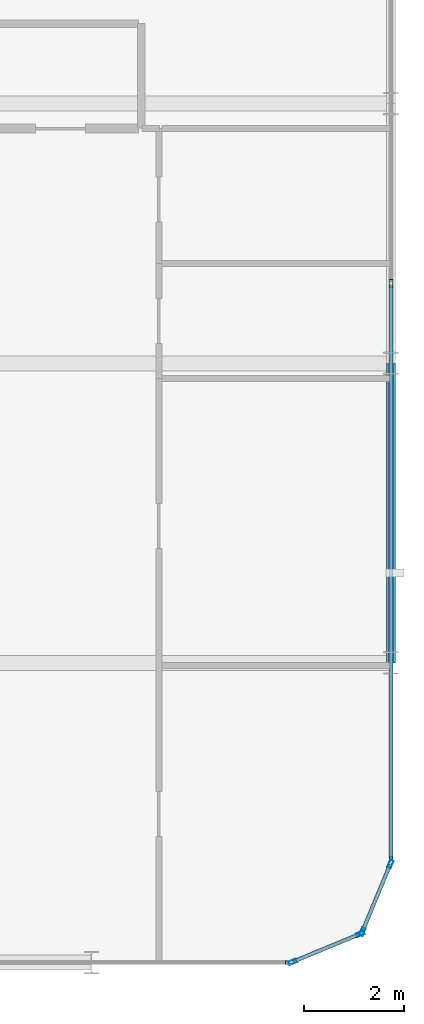
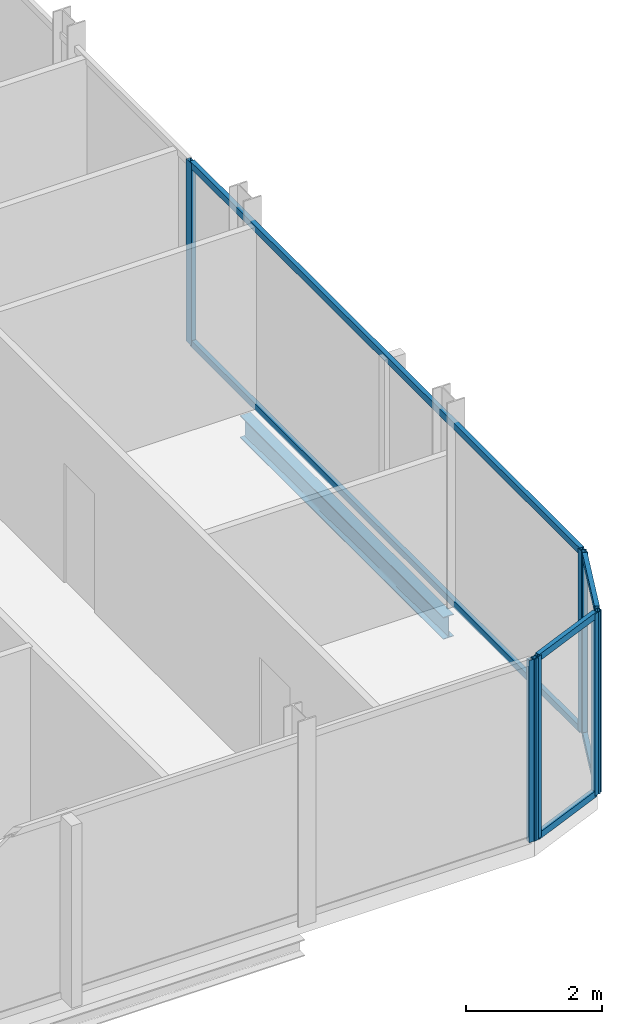
# One storey, part 12 of 28: 13 members, 1 beam, 4 elements without a shape of their own.
"""IFC4 building model written with IfcOpenShell, lengths in metres."""

from ifc_helpers import new_model, si_unit, direction, frame, origin, origin_2d, place, context, subcontext, project, spatial, hollow_rectangle, i_section, extrude, material, layer, layer_set, material_profile, profile_set, type_object, element, aggregate, save


model = new_model("IFC4")

# Units and contexts
model_context = context("Model", 3, precision=1e-05, world=origin(), true_north=direction((0.0, 1.0)))
body_context = subcontext(model_context, "Body", "Model", "MODEL_VIEW")
ifc_project = project(units=[si_unit("LENGTHUNIT", "METRE"), si_unit("AREAUNIT", "SQUARE_METRE"), si_unit("VOLUMEUNIT", "CUBIC_METRE"), si_unit("PLANEANGLEUNIT", "RADIAN"), si_unit("MASSUNIT", "GRAM", prefix="KILO")], contexts=[model_context])

# Site, building, storey
site_placement = place(None, origin())
site = spatial("IfcSite", under=ifc_project, at=site_placement, CompositionType="ELEMENT")
building_placement = place(site_placement, origin())
building = spatial("IfcBuilding", under=site, at=building_placement, Name="Keshet Zoharim Tower", CompositionType="ELEMENT")
storey_placement = place(building_placement, frame((0.0, 0.0, 233.89990234375)))
storey = spatial("IfcBuildingStorey", under=building, at=storey_placement, Name="L58", CompositionType="ELEMENT", Elevation=233.89990234375)

# Beam
ifc_material_1 = material(Name="Steel S355", Category="steel")
ifc_material_profile_1 = material_profile(ifc_material_1, i_section(OverallWidth=0.179931640625, OverallDepth=0.39990234375, WebThickness=0.008544921875, FlangeThickness=0.013427734375, FilletRadius=0.02099609375, at=origin_2d()), Name="IPE400")
ifc_profile_set_1 = profile_set([ifc_material_profile_1], Name="Steel S355")
beam_type = type_object("IfcBeamType", Name="BM-PRI-IP400", PredefinedType="BEAM", material=ifc_profile_set_1)
beam_placement = place(storey_placement, frame((57.0, 6.699951171875, -0.510009765625), z_axis=(0.0, 1.0, 0.0), x_axis=(-1.0, 0.0, 0.0)))
element("IfcBeam", 1, at=beam_placement, inside=storey, type_object=beam_type, Name="L58 Primary Girder Y-013", PredefinedType="BEAM", context=body_context, shape_type="SweptSolid", body=[
    extrude(i_section(OverallWidth=0.179931640625, OverallDepth=0.39990234375, WebThickness=0.008544921875, FlangeThickness=0.013427734375, FilletRadius=0.02099609375, at=origin_2d()), origin(), (0.0, 0.0, 1.0), 6.0),
])

# Curtain wall, members
ifc_material_2 = material(Name="Aluminium 6063-T6", Category="aluminium")
ifc_layer = layer(ifc_material_2, 0.139892578125)
ifc_layer_set = layer_set([ifc_layer], Name="Aluminium 6063-T6")
curtain_wall_type = type_object("IfcCurtainWallType", Name="CW-SYS-05", PredefinedType="NOTDEFINED", material=ifc_layer_set)
curtain_wall_1_placement = place(storey_placement, origin())
curtain_wall_1 = element("IfcCurtainWall", 2, at=curtain_wall_1_placement, inside=storey, type_object=curtain_wall_type, Name="L58 Unitised Curtain Wall 03", PredefinedType="NOTDEFINED")
ifc_material_profile_2 = material_profile(ifc_material_2, hollow_rectangle(XDim=0.074951171875, YDim=0.159912109375, WallThickness=0.00390625, at=origin_2d()), Name="MUL-75x160")
ifc_profile_set_2 = profile_set([ifc_material_profile_2], Name="Aluminium 6063-T6")
member_type_1 = type_object("IfcMemberType", Name="CWM-M15", PredefinedType="MULLION", material=ifc_profile_set_2)
member_1_placement = place(storey_placement, frame((57.0, 14.300048828125, 0.0), z_axis=(0.0, 0.0, 1.0), x_axis=(1.0, 0.0, 0.0)))
member_1 = element("IfcMember", 3, at=member_1_placement, type_object=member_type_1, Name="CW-05 mullion 2", PredefinedType="MULLION", context=body_context, shape_type="SweptSolid", body=[
    extrude(hollow_rectangle(XDim=0.074951171875, YDim=0.159912109375, WallThickness=0.00390625, at=origin_2d()), origin(), (0.0, 0.0, 1.0), 3.280029296875),
])
member_2_placement = place(storey_placement, frame((57.0, 2.735107421875, 0.0), z_axis=(0.0, 0.0, 1.0), x_axis=(1.0, 0.0, 0.0)))
member_2 = element("IfcMember", 4, at=member_2_placement, type_object=member_type_1, Name="CW-05 mullion 3", PredefinedType="MULLION", context=body_context, shape_type="SweptSolid", body=[
    extrude(hollow_rectangle(XDim=0.074951171875, YDim=0.159912109375, WallThickness=0.00390625, at=origin_2d()), origin(), (0.0, 0.0, 1.0), 3.280029296875),
])

curtain_wall_2_placement = place(storey_placement, origin())
curtain_wall_2 = element("IfcCurtainWall", 5, at=curtain_wall_2_placement, inside=storey, type_object=curtain_wall_type, Name="L58 Unitised Curtain Wall 04", PredefinedType="NOTDEFINED")
member_3_placement = place(storey_placement, frame((56.986572265625, 2.667724609375, 0.0), z_axis=(0.0, 0.0, 1.0), x_axis=(0.92380975372, -0.382851849847, 0.0)))
member_3 = element("IfcMember", 6, at=member_3_placement, type_object=member_type_1, Name="CW-05 mullion 1", PredefinedType="MULLION", context=body_context, shape_type="SweptSolid", body=[
    extrude(hollow_rectangle(XDim=0.074951171875, YDim=0.159912109375, WallThickness=0.00390625, at=origin_2d()), origin(), (0.0, 0.0, 1.0), 3.280029296875),
])
member_4_placement = place(storey_placement, frame((56.427490234375, 1.318359375, 0.0), z_axis=(0.0, 0.0, 1.0), x_axis=(0.92380975372, -0.382851849847, 0.0)))
member_4 = element("IfcMember", 7, at=member_4_placement, type_object=member_type_1, Name="CW-05 mullion 2", PredefinedType="MULLION", context=body_context, shape_type="SweptSolid", body=[
    extrude(hollow_rectangle(XDim=0.074951171875, YDim=0.159912109375, WallThickness=0.00390625, at=origin_2d()), origin(), (0.0, 0.0, 1.0), 3.280029296875),
])

curtain_wall_3_placement = place(storey_placement, origin())
curtain_wall_3 = element("IfcCurtainWall", 8, at=curtain_wall_3_placement, inside=storey, type_object=curtain_wall_type, Name="L58 Unitised Curtain Wall 05", PredefinedType="NOTDEFINED")
member_5_placement = place(storey_placement, frame((56.381591796875, 1.272705078125, 0.0), z_axis=(0.0, 0.0, 1.0), x_axis=(0.382851849847, -0.92380975372, 0.0)))
member_5 = element("IfcMember", 9, at=member_5_placement, type_object=member_type_1, Name="CW-05 mullion 1", PredefinedType="MULLION", context=body_context, shape_type="SweptSolid", body=[
    extrude(hollow_rectangle(XDim=0.074951171875, YDim=0.159912109375, WallThickness=0.00390625, at=origin_2d()), origin(), (0.0, 0.0, 1.0), 3.280029296875),
])
member_6_placement = place(storey_placement, frame((55.0322265625, 0.71337890625, 0.0), z_axis=(0.0, 0.0, 1.0), x_axis=(0.382851849847, -0.92380975372, 0.0)))
member_6 = element("IfcMember", 10, at=member_6_placement, type_object=member_type_1, Name="CW-05 mullion 2", PredefinedType="MULLION", context=body_context, shape_type="SweptSolid", body=[
    extrude(hollow_rectangle(XDim=0.074951171875, YDim=0.159912109375, WallThickness=0.00390625, at=origin_2d()), origin(), (0.0, 0.0, 1.0), 3.280029296875),
])

# Curtain wall, member
curtain_wall_4_placement = place(storey_placement, origin())
curtain_wall_4 = element("IfcCurtainWall", 11, at=curtain_wall_4_placement, inside=storey, type_object=curtain_wall_type, Name="L58 Unitised Curtain Wall 06", PredefinedType="NOTDEFINED")
member_7_placement = place(storey_placement, frame((54.965087890625, 0.699951171875, 0.0), z_axis=(0.0, 0.0, 1.0), x_axis=(0.0, -1.0, 0.0)))
member_7 = element("IfcMember", 12, at=member_7_placement, type_object=member_type_1, Name="CW-05 mullion 1", PredefinedType="MULLION", context=body_context, shape_type="SweptSolid", body=[
    extrude(hollow_rectangle(XDim=0.074951171875, YDim=0.159912109375, WallThickness=0.00390625, at=origin_2d()), origin(), (0.0, 0.0, 1.0), 3.280029296875),
])
aggregate(curtain_wall_4, [member_7])

# Member
ifc_material_profile_3 = material_profile(ifc_material_2, hollow_rectangle(XDim=0.074951171875, YDim=0.1201171875, WallThickness=0.00390625, at=origin_2d()), Name="TRN-75x120")
ifc_profile_set_3 = profile_set([ifc_material_profile_3], Name="Aluminium 6063-T6")
member_type_2 = type_object("IfcMemberType", Name="CWT-T12", PredefinedType="USERDEFINED", material=ifc_profile_set_3)
member_8_placement = place(storey_placement, frame((57.0, 14.264892578125, 0.03515625), z_axis=(0.0, -1.0, 0.0), x_axis=(1.0, 0.0, 0.0)))
member_8 = element("IfcMember", 13, at=member_8_placement, type_object=member_type_2, Name="CW-05 transom 2.1", ObjectType="TRANSOM", PredefinedType="USERDEFINED", context=body_context, shape_type="SweptSolid", body=[
    extrude(hollow_rectangle(XDim=0.074951171875, YDim=0.1201171875, WallThickness=0.00390625, at=origin_2d()), origin(), (0.0, 0.0, 1.0), 11.494873046875),
])

member_9_placement = place(storey_placement, frame((57.0, 14.264892578125, 3.2451171875), z_axis=(0.0, -1.0, 0.0), x_axis=(1.0, 0.0, 0.0)))
member_9 = element("IfcMember", 14, at=member_9_placement, type_object=member_type_2, Name="CW-05 transom 2.2", ObjectType="TRANSOM", PredefinedType="USERDEFINED", context=body_context, shape_type="SweptSolid", body=[
    extrude(hollow_rectangle(XDim=0.074951171875, YDim=0.1201171875, WallThickness=0.00390625, at=origin_2d()), origin(), (0.0, 0.0, 1.0), 11.494873046875),
])

aggregate(curtain_wall_1, [member_1, member_2, member_8, member_9])

member_10_placement = place(storey_placement, frame((56.97314453125, 2.63525390625, 0.03515625), z_axis=(-0.382744609247, -0.923854189844, 0.0), x_axis=(0.923854189844, -0.382744609247, 0.0)))
member_10 = element("IfcMember", 15, at=member_10_placement, type_object=member_type_2, Name="CW-05 transom 1.1", ObjectType="TRANSOM", PredefinedType="USERDEFINED", context=body_context, shape_type="SweptSolid", body=[
    extrude(hollow_rectangle(XDim=0.074951171875, YDim=0.1201171875, WallThickness=0.00390625, at=origin_2d()), origin(), (0.0, 0.0, 1.0), 1.390625),
])

member_11_placement = place(storey_placement, frame((56.97314453125, 2.63525390625, 3.2451171875), z_axis=(-0.382744609247, -0.923854189844, 0.0), x_axis=(0.923854189844, -0.382744609247, 0.0)))
member_11 = element("IfcMember", 16, at=member_11_placement, type_object=member_type_2, Name="CW-05 transom 1.2", ObjectType="TRANSOM", PredefinedType="USERDEFINED", context=body_context, shape_type="SweptSolid", body=[
    extrude(hollow_rectangle(XDim=0.074951171875, YDim=0.1201171875, WallThickness=0.00390625, at=origin_2d()), origin(), (0.0, 0.0, 1.0), 1.390625),
])

aggregate(curtain_wall_2, [member_3, member_4, member_10, member_11])

member_12_placement = place(storey_placement, frame((56.349365234375, 1.25927734375, 0.03515625), z_axis=(-0.92379209995, -0.382894445076, 0.0), x_axis=(0.382894445076, -0.92379209995, 0.0)))
member_12 = element("IfcMember", 17, at=member_12_placement, type_object=member_type_2, Name="CW-05 transom 1.1", ObjectType="TRANSOM", PredefinedType="USERDEFINED", context=body_context, shape_type="SweptSolid", body=[
    extrude(hollow_rectangle(XDim=0.074951171875, YDim=0.1201171875, WallThickness=0.00390625, at=origin_2d()), origin(), (0.0, 0.0, 1.0), 1.390625),
])

member_13_placement = place(storey_placement, frame((56.349365234375, 1.25927734375, 3.2451171875), z_axis=(-0.92379209995, -0.382894445076, 0.0), x_axis=(0.382894445076, -0.92379209995, 0.0)))
member_13 = element("IfcMember", 18, at=member_13_placement, type_object=member_type_2, Name="CW-05 transom 1.2", ObjectType="TRANSOM", PredefinedType="USERDEFINED", context=body_context, shape_type="SweptSolid", body=[
    extrude(hollow_rectangle(XDim=0.074951171875, YDim=0.1201171875, WallThickness=0.00390625, at=origin_2d()), origin(), (0.0, 0.0, 1.0), 1.390625),
])

aggregate(curtain_wall_3, [member_5, member_6, member_12, member_13])

save(model, "model.ifc")
